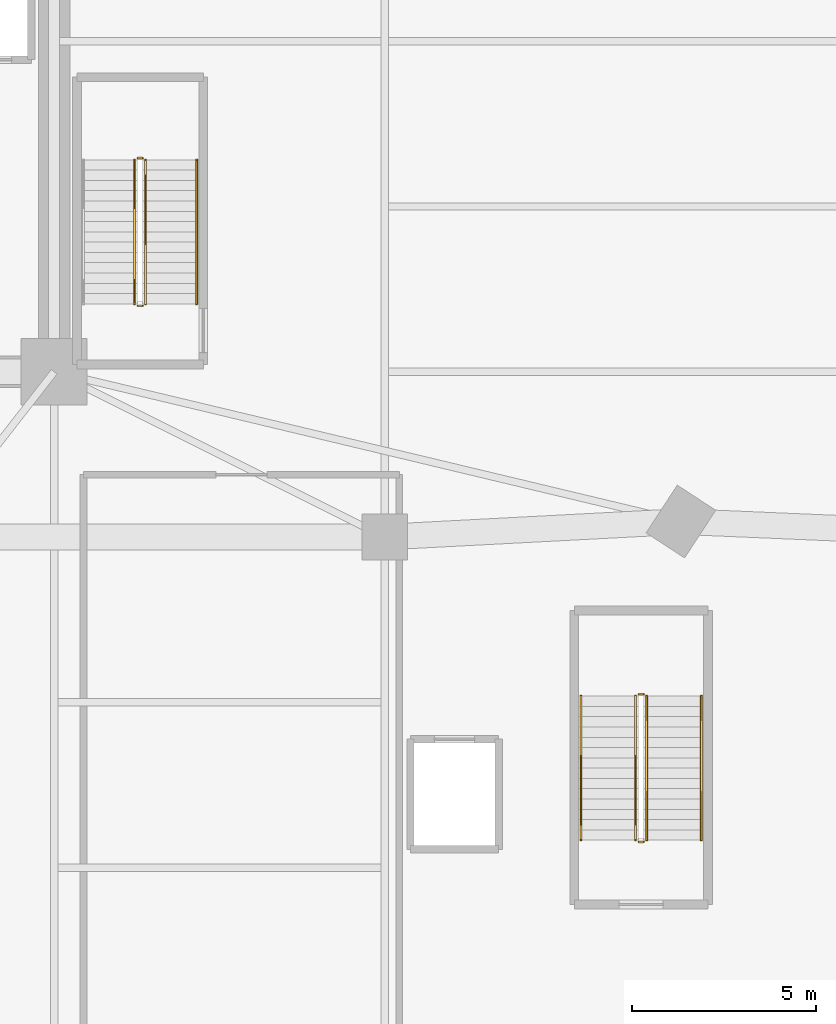
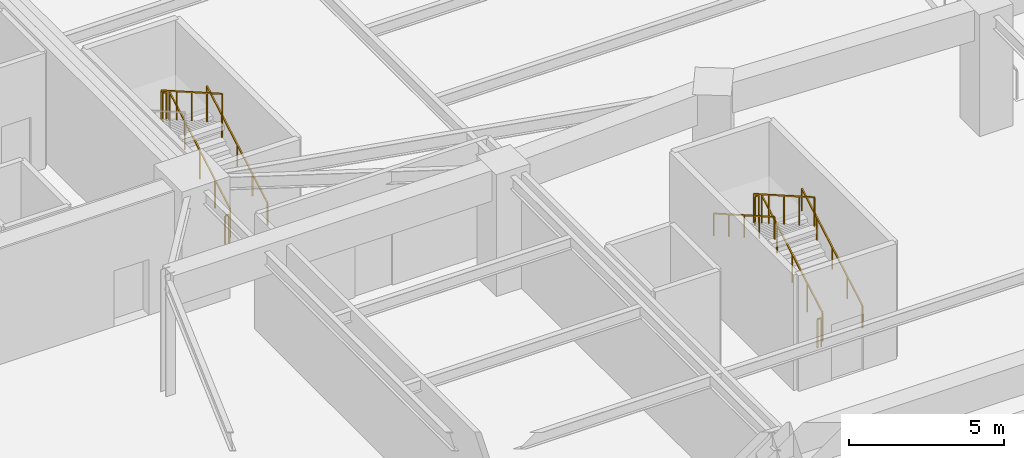
# One storey, part 19 of 20: 11 railings.
"""IFC4 building model written with IfcOpenShell, lengths in metres."""

from ifc_helpers import new_model, si_unit, direction, frame, origin, origin_2d, place, context, subcontext, project, spatial, rectangle, extrude, material, type_object, element, save


model = new_model("IFC4")

# Units and contexts
model_context = context("Model", 3, precision=1e-05, world=origin(), true_north=direction((0.0, 1.0)))
body_context = subcontext(model_context, "Body", "Model", "MODEL_VIEW")
ifc_project = project(units=[si_unit("LENGTHUNIT", "METRE"), si_unit("AREAUNIT", "SQUARE_METRE"), si_unit("VOLUMEUNIT", "CUBIC_METRE"), si_unit("PLANEANGLEUNIT", "RADIAN"), si_unit("MASSUNIT", "GRAM", prefix="KILO")], contexts=[model_context])

# Site, building, storey
site_placement = place(None, origin())
site = spatial("IfcSite", under=ifc_project, at=site_placement, CompositionType="ELEMENT")
building_placement = place(site_placement, origin())
building = spatial("IfcBuilding", under=site, at=building_placement, Name="Liaohun Quay Tower", CompositionType="ELEMENT")
storey_placement = place(building_placement, frame((0.0, 0.0, -4.800048828125)))
storey = spatial("IfcBuildingStorey", under=building, at=storey_placement, Name="B1", CompositionType="ELEMENT", Elevation=-4.800048828125)

# Railings
ifc_material_1 = material(Name="Painted tubular steel", Category="steel")
railing_type_1 = type_object("IfcRailingType", Name="RLG-GUARD-STR", PredefinedType="GUARDRAIL", material=ifc_material_1)
railing_1_placement = place(storey_placement, frame((71.489990234375, 48.35009765625, 0.16015625)))
element("IfcRailing", 1, at=railing_1_placement, inside=storey, type_object=railing_type_1, Name="B1 ST-2 stair guard 1", PredefinedType="GUARDRAIL", context=body_context, shape_type="SweptSolid", body=[
    extrude(rectangle(XDim=0.048095703125, YDim=0.048095703125, at=origin_2d()), frame((0.0, 0.0, 1.1259765625), z_axis=(0.0, 0.868239814368, 0.496144761885), x_axis=(-1.0, 0.0, 0.0)), (0.0, 0.0, 1.0), 4.514892578125),
    extrude(rectangle(XDim=0.0419921875, YDim=0.0419921875, at=origin_2d()), origin(), (0.0, 0.0, 1.0), 1.101806640625),
    extrude(rectangle(XDim=0.0419921875, YDim=0.0419921875, at=origin_2d()), frame((0.0, 0.97998046875, 0.56005859375)), (0.0, 0.0, 1.0), 1.101806640625),
    extrude(rectangle(XDim=0.0419921875, YDim=0.0419921875, at=origin_2d()), frame((0.0, 1.9599609375, 1.1201171875)), (0.0, 0.0, 1.0), 1.101806640625),
    extrude(rectangle(XDim=0.0419921875, YDim=0.0419921875, at=origin_2d()), frame((0.0, 2.93994140625, 1.679931640625)), (0.0, 0.0, 1.0), 1.101806640625),
    extrude(rectangle(XDim=0.0419921875, YDim=0.0419921875, at=origin_2d()), frame((0.0, 3.919921875, 2.239990234375)), (0.0, 0.0, 1.0), 1.101806640625),
])
railing_2_placement = place(storey_placement, frame((71.409912109375, 52.320068359375, 2.400146484375)))
element("IfcRailing", 2, at=railing_2_placement, inside=storey, type_object=railing_type_1, Name="B1 ST-2 stair guard 2", PredefinedType="GUARDRAIL", context=body_context, shape_type="SweptSolid", body=[
    extrude(rectangle(XDim=0.048095703125, YDim=0.048095703125, at=origin_2d()), frame((0.0, 0.0, 1.1259765625), z_axis=(-1.0, 0.0, 0.0), x_axis=(0.0, -1.0, 0.0)), (0.0, 0.0, 1.0), 0.139892578125),
    extrude(rectangle(XDim=0.0419921875, YDim=0.0419921875, at=origin_2d()), origin(), (0.0, 0.0, 1.0), 1.101806640625),
    extrude(rectangle(XDim=0.0419921875, YDim=0.0419921875, at=origin_2d()), frame((-0.139892578125, 0.0, 0.0)), (0.0, 0.0, 1.0), 1.101806640625),
])
railing_3_placement = place(storey_placement, frame((71.18994140625, 52.27001953125, 2.56005859375)))
element("IfcRailing", 3, at=railing_3_placement, inside=storey, type_object=railing_type_1, Name="B1 ST-2 stair guard 3", PredefinedType="GUARDRAIL", context=body_context, shape_type="SweptSolid", body=[
    extrude(rectangle(XDim=0.048095703125, YDim=0.048095703125, at=origin_2d()), frame((0.0, 0.0, 1.1259765625), z_axis=(0.0, -0.868239814368, 0.496144761885), x_axis=(1.0, 0.0, 0.0)), (0.0, 0.0, 1.0), 4.514892578125),
    extrude(rectangle(XDim=0.0419921875, YDim=0.0419921875, at=origin_2d()), origin(), (0.0, 0.0, 1.0), 1.101806640625),
    extrude(rectangle(XDim=0.0419921875, YDim=0.0419921875, at=origin_2d()), frame((0.0, -0.97998046875, 0.56005859375)), (0.0, 0.0, 1.0), 1.101806640625),
    extrude(rectangle(XDim=0.0419921875, YDim=0.0419921875, at=origin_2d()), frame((0.0, -1.9599609375, 1.1201171875)), (0.0, 0.0, 1.0), 1.101806640625),
    extrude(rectangle(XDim=0.0419921875, YDim=0.0419921875, at=origin_2d()), frame((0.0, -2.93994140625, 1.679931640625)), (0.0, 0.0, 1.0), 1.101806640625),
    extrude(rectangle(XDim=0.0419921875, YDim=0.0419921875, at=origin_2d()), frame((0.0, -3.919921875, 2.239990234375)), (0.0, 0.0, 1.0), 1.101806640625),
])
railing_4_placement = place(storey_placement, frame((71.409912109375, 48.300048828125, 0.0)))
element("IfcRailing", 4, at=railing_4_placement, inside=storey, type_object=railing_type_1, Name="B1 ST-2 stair guard 4", PredefinedType="GUARDRAIL", context=body_context, shape_type="SweptSolid", body=[
    extrude(rectangle(XDim=0.048095703125, YDim=0.048095703125, at=origin_2d()), frame((0.0, 0.0, 1.1259765625), z_axis=(-1.0, 0.0, 0.0), x_axis=(0.0, -1.0, 0.0)), (0.0, 0.0, 1.0), 0.139892578125),
    extrude(rectangle(XDim=0.0419921875, YDim=0.0419921875, at=origin_2d()), origin(), (0.0, 0.0, 1.0), 1.101806640625),
    extrude(rectangle(XDim=0.0419921875, YDim=0.0419921875, at=origin_2d()), frame((-0.139892578125, 0.0, 0.0)), (0.0, 0.0, 1.0), 1.101806640625),
])
railing_5_placement = place(storey_placement, frame((85.1298828125, 33.75, 0.16015625)))
element("IfcRailing", 5, at=railing_5_placement, inside=storey, type_object=railing_type_1, Name="B1 ST-P2 stair guard 1", PredefinedType="GUARDRAIL", context=body_context, shape_type="SweptSolid", body=[
    extrude(rectangle(XDim=0.048095703125, YDim=0.048095703125, at=origin_2d()), frame((0.0, 0.0, 1.1259765625), z_axis=(0.0, 0.868239814368, 0.496144761885), x_axis=(-1.0, 0.0, 0.0)), (0.0, 0.0, 1.0), 4.514892578125),
    extrude(rectangle(XDim=0.0419921875, YDim=0.0419921875, at=origin_2d()), origin(), (0.0, 0.0, 1.0), 1.101806640625),
    extrude(rectangle(XDim=0.0419921875, YDim=0.0419921875, at=origin_2d()), frame((0.0, 0.97998046875, 0.56005859375)), (0.0, 0.0, 1.0), 1.101806640625),
    extrude(rectangle(XDim=0.0419921875, YDim=0.0419921875, at=origin_2d()), frame((0.0, 1.9599609375, 1.1201171875)), (0.0, 0.0, 1.0), 1.101806640625),
    extrude(rectangle(XDim=0.0419921875, YDim=0.0419921875, at=origin_2d()), frame((0.0, 2.93994140625, 1.679931640625)), (0.0, 0.0, 1.0), 1.101806640625),
    extrude(rectangle(XDim=0.0419921875, YDim=0.0419921875, at=origin_2d()), frame((0.0, 3.919921875, 2.239990234375)), (0.0, 0.0, 1.0), 1.101806640625),
])
railing_6_placement = place(storey_placement, frame((85.050048828125, 37.719970703125, 2.400146484375)))
element("IfcRailing", 6, at=railing_6_placement, inside=storey, type_object=railing_type_1, Name="B1 ST-P2 stair guard 2", PredefinedType="GUARDRAIL", context=body_context, shape_type="SweptSolid", body=[
    extrude(rectangle(XDim=0.048095703125, YDim=0.048095703125, at=origin_2d()), frame((0.0, 0.0, 1.1259765625), z_axis=(-1.0, 0.0, 0.0), x_axis=(0.0, -1.0, 0.0)), (0.0, 0.0, 1.0), 0.14013671875),
    extrude(rectangle(XDim=0.0419921875, YDim=0.0419921875, at=origin_2d()), origin(), (0.0, 0.0, 1.0), 1.101806640625),
    extrude(rectangle(XDim=0.0419921875, YDim=0.0419921875, at=origin_2d()), frame((-0.14013671875, 0.0, 0.0)), (0.0, 0.0, 1.0), 1.101806640625),
])
railing_7_placement = place(storey_placement, frame((84.830078125, 37.669921875, 2.56005859375)))
element("IfcRailing", 7, at=railing_7_placement, inside=storey, type_object=railing_type_1, Name="B1 ST-P2 stair guard 3", PredefinedType="GUARDRAIL", context=body_context, shape_type="SweptSolid", body=[
    extrude(rectangle(XDim=0.048095703125, YDim=0.048095703125, at=origin_2d()), frame((0.0, 0.0, 1.1259765625), z_axis=(0.0, -0.868239814368, 0.496144761885), x_axis=(1.0, 0.0, 0.0)), (0.0, 0.0, 1.0), 4.514892578125),
    extrude(rectangle(XDim=0.0419921875, YDim=0.0419921875, at=origin_2d()), origin(), (0.0, 0.0, 1.0), 1.101806640625),
    extrude(rectangle(XDim=0.0419921875, YDim=0.0419921875, at=origin_2d()), frame((0.0, -0.97998046875, 0.56005859375)), (0.0, 0.0, 1.0), 1.101806640625),
    extrude(rectangle(XDim=0.0419921875, YDim=0.0419921875, at=origin_2d()), frame((0.0, -1.9599609375, 1.1201171875)), (0.0, 0.0, 1.0), 1.101806640625),
    extrude(rectangle(XDim=0.0419921875, YDim=0.0419921875, at=origin_2d()), frame((0.0, -2.93994140625, 1.679931640625)), (0.0, 0.0, 1.0), 1.101806640625),
    extrude(rectangle(XDim=0.0419921875, YDim=0.0419921875, at=origin_2d()), frame((0.0, -3.919921875, 2.239990234375)), (0.0, 0.0, 1.0), 1.101806640625),
])
railing_8_placement = place(storey_placement, frame((85.050048828125, 33.699951171875, 0.0)))
element("IfcRailing", 8, at=railing_8_placement, inside=storey, type_object=railing_type_1, Name="B1 ST-P2 stair guard 4", PredefinedType="GUARDRAIL", context=body_context, shape_type="SweptSolid", body=[
    extrude(rectangle(XDim=0.048095703125, YDim=0.048095703125, at=origin_2d()), frame((0.0, 0.0, 1.1259765625), z_axis=(-1.0, 0.0, 0.0), x_axis=(0.0, -1.0, 0.0)), (0.0, 0.0, 1.0), 0.14013671875),
    extrude(rectangle(XDim=0.0419921875, YDim=0.0419921875, at=origin_2d()), origin(), (0.0, 0.0, 1.0), 1.101806640625),
    extrude(rectangle(XDim=0.0419921875, YDim=0.0419921875, at=origin_2d()), frame((-0.14013671875, 0.0, 0.0)), (0.0, 0.0, 1.0), 1.101806640625),
])
ifc_material_2 = material(Name="Brushed stainless steel", Category="steel")
railing_type_2 = type_object("IfcRailingType", Name="RLG-HND-STR", PredefinedType="HANDRAIL", material=ifc_material_2)
for number, where, name in (
    (9, (72.8798828125, 48.35009765625, 0.16015625), "B1 ST-2 stair handrail 1"),
    (10, (86.6201171875, 33.75, 0.16015625), "B1 ST-P2 stair handrail 1"),
):
    element("IfcRailing", number, at=place(storey_placement, frame(where)), inside=storey, type_object=railing_type_2, Name=name, PredefinedType="HANDRAIL", context=body_context, shape_type="SweptSolid", body=[
        extrude(rectangle(XDim=0.048095703125, YDim=0.048095703125, at=origin_2d()), frame((0.0, 0.0, 0.8759765625), z_axis=(0.0, 0.868239814368, 0.496144761885), x_axis=(-1.0, 0.0, 0.0)), (0.0, 0.0, 1.0), 4.514892578125),
        extrude(rectangle(XDim=0.0419921875, YDim=0.0419921875, at=origin_2d()), origin(), (0.0, 0.0, 1.0), 0.851806640625),
        extrude(rectangle(XDim=0.0419921875, YDim=0.0419921875, at=origin_2d()), frame((0.0, 0.97998046875, 0.56005859375)), (0.0, 0.0, 1.0), 0.851806640625),
        extrude(rectangle(XDim=0.0419921875, YDim=0.0419921875, at=origin_2d()), frame((0.0, 1.9599609375, 1.1201171875)), (0.0, 0.0, 1.0), 0.851806640625),
        extrude(rectangle(XDim=0.0419921875, YDim=0.0419921875, at=origin_2d()), frame((0.0, 2.93994140625, 1.679931640625)), (0.0, 0.0, 1.0), 0.851806640625),
        extrude(rectangle(XDim=0.0419921875, YDim=0.0419921875, at=origin_2d()), frame((0.0, 3.919921875, 2.239990234375)), (0.0, 0.0, 1.0), 0.851806640625),
    ])
railing_9_placement = place(storey_placement, frame((83.340087890625, 37.669921875, 2.56005859375)))
element("IfcRailing", 11, at=railing_9_placement, inside=storey, type_object=railing_type_2, Name="B1 ST-P2 stair handrail 2", PredefinedType="HANDRAIL", context=body_context, shape_type="SweptSolid", body=[
    extrude(rectangle(XDim=0.048095703125, YDim=0.048095703125, at=origin_2d()), frame((0.0, 0.0, 0.8759765625), z_axis=(0.0, -0.868239814368, 0.496144761885), x_axis=(1.0, 0.0, 0.0)), (0.0, 0.0, 1.0), 4.514892578125),
    extrude(rectangle(XDim=0.0419921875, YDim=0.0419921875, at=origin_2d()), origin(), (0.0, 0.0, 1.0), 0.851806640625),
    extrude(rectangle(XDim=0.0419921875, YDim=0.0419921875, at=origin_2d()), frame((0.0, -0.97998046875, 0.56005859375)), (0.0, 0.0, 1.0), 0.851806640625),
    extrude(rectangle(XDim=0.0419921875, YDim=0.0419921875, at=origin_2d()), frame((0.0, -1.9599609375, 1.1201171875)), (0.0, 0.0, 1.0), 0.851806640625),
    extrude(rectangle(XDim=0.0419921875, YDim=0.0419921875, at=origin_2d()), frame((0.0, -2.93994140625, 1.679931640625)), (0.0, 0.0, 1.0), 0.851806640625),
    extrude(rectangle(XDim=0.0419921875, YDim=0.0419921875, at=origin_2d()), frame((0.0, -3.919921875, 2.239990234375)), (0.0, 0.0, 1.0), 0.851806640625),
])

save(model, "model.ifc")
